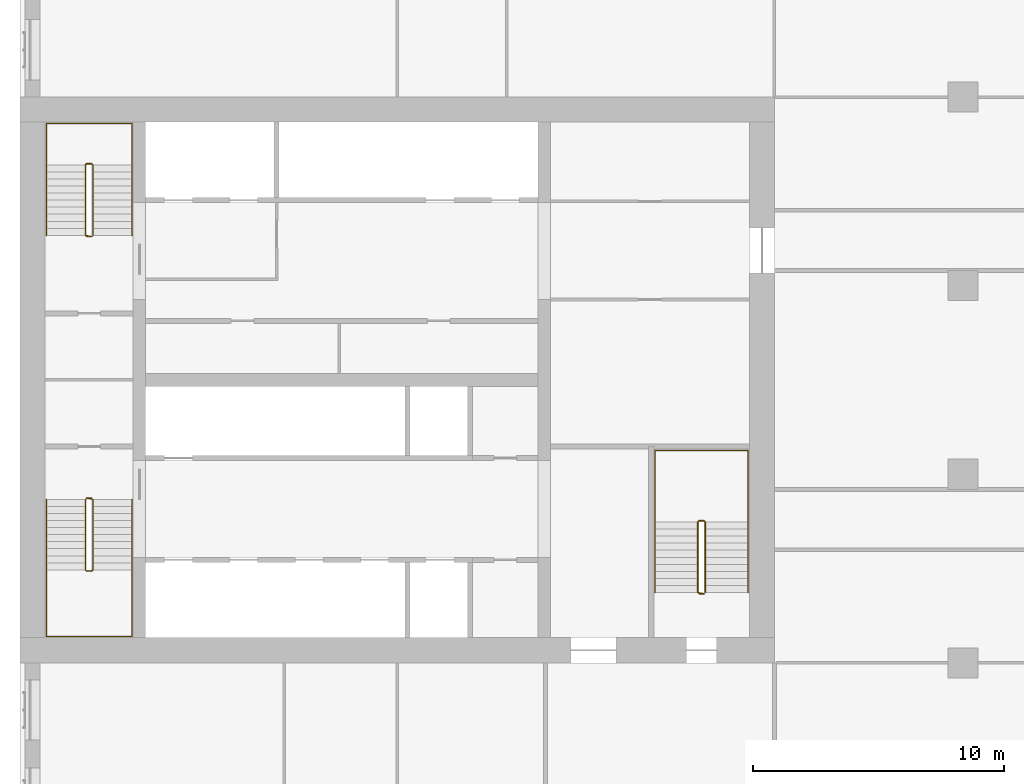
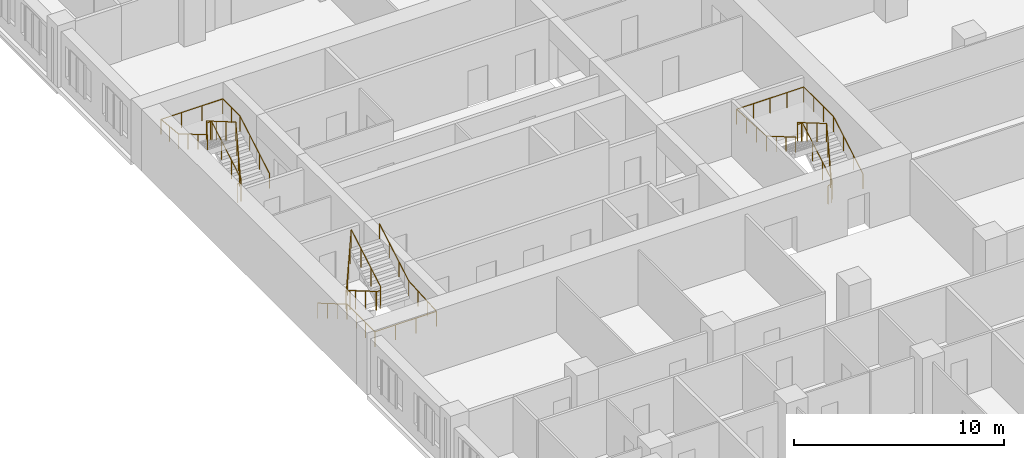
# One storey, part 14 of 14: 6 railings.
"""IFC4 building model written with IfcOpenShell, lengths in metres."""

from ifc_helpers import new_model, si_unit, direction, frame, origin, origin_2d, place, context, subcontext, project, spatial, circle, extrude, material, type_object, element, save


model = new_model("IFC4")

# Units and contexts
model_context = context("Model", 3, precision=1e-05, world=origin(), true_north=direction((0.0, 1.0)))
body_context = subcontext(model_context, "Body", "Model", "MODEL_VIEW")
ifc_project = project(units=[si_unit("LENGTHUNIT", "METRE"), si_unit("AREAUNIT", "SQUARE_METRE"), si_unit("VOLUMEUNIT", "CUBIC_METRE"), si_unit("PLANEANGLEUNIT", "RADIAN"), si_unit("MASSUNIT", "GRAM", prefix="KILO")], contexts=[model_context])

# Site, building, storey
site_placement = place(None, origin())
site = spatial("IfcSite", under=ifc_project, at=site_placement, CompositionType="ELEMENT")
building_placement = place(site_placement, origin())
building = spatial("IfcBuilding", under=site, at=building_placement, Name="Tamorin Gate", CompositionType="ELEMENT")
storey_placement = place(building_placement, frame((0.0, 0.0, 70.0)))
storey = spatial("IfcBuildingStorey", under=building, at=storey_placement, Name="L16", CompositionType="ELEMENT", Elevation=70.0)

# Railings
ifc_material_1 = material(Name="Painted steel balustrade", Category="steel")
railing_type_1 = type_object("IfcRailingType", Name="Stair guard 1100", PredefinedType="GUARDRAIL", material=ifc_material_1)
railing_1_placement = place(storey_placement, frame((32.60009765625, 66.5, 0.16357421875)))
element("IfcRailing", 1, at=railing_1_placement, inside=storey, type_object=railing_type_1, Name="L16 ST1 stair guard 1", PredefinedType="GUARDRAIL", context=body_context, shape_type="SweptSolid", body=[
    extrude(circle(Radius=0.02392578125, at=origin_2d()), frame((0.0, 0.0, 1.076171875), z_axis=(0.0, -0.863360870873, 0.504586966384), x_axis=(1.0, 0.0, 0.0)), (0.0, 0.0, 1.0), 3.2431640625),
    extrude(circle(Radius=0.02392578125, at=origin_2d()), frame((0.0, -2.800048828125, 2.71240234375), z_axis=(0.705375805398, -0.708833529934, 0.0), x_axis=(0.708833529934, 0.705375805398, 0.0)), (0.0, 0.0, 1.0), 0.070556640625),
    extrude(circle(Radius=0.02392578125, at=origin_2d()), frame((0.0498046875, -2.85009765625, 2.71240234375), z_axis=(1.0, 0.0, 0.0), x_axis=(0.0, 1.0, 0.0)), (0.0, 0.0, 1.0), 0.2001953125),
    extrude(circle(Radius=0.02392578125, at=origin_2d()), frame((0.25, -2.85009765625, 2.71240234375), z_axis=(0.279546231943, 0.280916556609, 0.91811752648), x_axis=(-0.708833529934, 0.705375805398, 0.0)), (0.0, 0.0, 1.0), 0.17822265625),
    extrude(circle(Radius=0.02392578125, at=origin_2d()), frame((0.2998046875, -2.800048828125, 2.8759765625), z_axis=(0.0, 0.863360870873, 0.504586966384), x_axis=(-1.0, 0.0, 0.0)), (0.0, 0.0, 1.0), 3.2431640625),
    extrude(circle(Radius=0.02392578125, at=origin_2d()), frame((0.2998046875, 0.0, 4.5126953125), z_axis=(-0.069269067181, 0.013867342551, -0.997501625634), x_axis=(-0.196300278283, -0.98054382908, 0.0)), (0.0, 0.0, 1.0), 3.609130859375),
    extrude(circle(Radius=0.02392578125, at=origin_2d()), frame((0.0498046875, 0.050048828125, 0.91259765625), z_axis=(1.0, 0.0, 0.0), x_axis=(0.0, 1.0, 0.0)), (0.0, 0.0, 1.0), 0.2001953125),
    extrude(circle(Radius=0.02099609375, at=origin_2d()), origin(), (0.0, 0.0, 1.0), 1.052001953125),
    extrude(circle(Radius=0.02099609375, at=origin_2d()), frame((0.0, -0.933349609375, 0.54541015625)), (0.0, 0.0, 1.0), 1.052001953125),
    extrude(circle(Radius=0.02099609375, at=origin_2d()), frame((0.0, -1.86669921875, 1.091064453125)), (0.0, 0.0, 1.0), 1.052001953125),
    extrude(circle(Radius=0.02099609375, at=origin_2d()), frame((0.0, -2.800048828125, 1.636474609375)), (0.0, 0.0, 1.0), 1.052001953125),
    extrude(circle(Radius=0.02099609375, at=origin_2d()), frame((0.0498046875, -2.85009765625, 1.636474609375)), (0.0, 0.0, 1.0), 1.052001953125),
    extrude(circle(Radius=0.02099609375, at=origin_2d()), frame((0.25, -2.85009765625, 1.636474609375)), (0.0, 0.0, 1.0), 1.052001953125),
    extrude(circle(Radius=0.02099609375, at=origin_2d()), frame((0.2998046875, -2.800048828125, 1.800048828125)), (0.0, 0.0, 1.0), 1.052001953125),
    extrude(circle(Radius=0.02099609375, at=origin_2d()), frame((0.2998046875, -1.86669921875, 2.345458984375)), (0.0, 0.0, 1.0), 1.052001953125),
    extrude(circle(Radius=0.02099609375, at=origin_2d()), frame((0.2998046875, -0.933349609375, 2.89111328125)), (0.0, 0.0, 1.0), 1.052001953125),
    extrude(circle(Radius=0.02099609375, at=origin_2d()), frame((0.2998046875, 0.0, 3.4365234375)), (0.0, 0.0, 1.0), 1.052001953125),
    extrude(circle(Radius=0.02099609375, at=origin_2d()), frame((0.2373046875, 0.012451171875, 2.53662109375)), (0.0, 0.0, 1.0), 1.052001953125),
    extrude(circle(Radius=0.02099609375, at=origin_2d()), frame((0.1748046875, 0.02490234375, 1.636474609375)), (0.0, 0.0, 1.0), 1.052001953125),
    extrude(circle(Radius=0.02099609375, at=origin_2d()), frame((0.1123046875, 0.03759765625, 0.736328125)), (0.0, 0.0, 1.0), 1.052001953125),
    extrude(circle(Radius=0.02099609375, at=origin_2d()), frame((0.0498046875, 0.050048828125, -0.16357421875)), (0.0, 0.0, 1.0), 1.052001953125),
    extrude(circle(Radius=0.02099609375, at=origin_2d()), frame((0.25, 0.050048828125, -0.16357421875)), (0.0, 0.0, 1.0), 1.052001953125),
])
railing_2_placement = place(storey_placement, frame((32.89990234375, 77.0, 0.16357421875)))
element("IfcRailing", 2, at=railing_2_placement, inside=storey, type_object=railing_type_1, Name="L16 ST2 stair guard 1", PredefinedType="GUARDRAIL", context=body_context, shape_type="SweptSolid", body=[
    extrude(circle(Radius=0.02392578125, at=origin_2d()), frame((0.0, 0.0, 1.076171875), z_axis=(0.0, 0.863360870873, 0.504586966384), x_axis=(-1.0, 0.0, 0.0)), (0.0, 0.0, 1.0), 3.2431640625),
    extrude(circle(Radius=0.02392578125, at=origin_2d()), frame((0.0, 2.800048828125, 2.71240234375), z_axis=(-0.705375805398, 0.708833529934, 0.0), x_axis=(-0.708833529934, -0.705375805398, 0.0)), (0.0, 0.0, 1.0), 0.070556640625),
    extrude(circle(Radius=0.02392578125, at=origin_2d()), frame((-0.0498046875, 2.85009765625, 2.71240234375), z_axis=(-1.0, 0.0, 0.0), x_axis=(0.0, -1.0, 0.0)), (0.0, 0.0, 1.0), 0.2001953125),
    extrude(circle(Radius=0.02392578125, at=origin_2d()), frame((-0.25, 2.85009765625, 2.71240234375), z_axis=(-0.279546231943, -0.280916556609, 0.91811752648), x_axis=(0.708833529934, -0.705375805398, 0.0)), (0.0, 0.0, 1.0), 0.17822265625),
    extrude(circle(Radius=0.02392578125, at=origin_2d()), frame((-0.2998046875, 2.800048828125, 2.8759765625), z_axis=(0.0, -0.863360870873, 0.504586966384), x_axis=(1.0, 0.0, 0.0)), (0.0, 0.0, 1.0), 3.2431640625),
    extrude(circle(Radius=0.02392578125, at=origin_2d()), frame((-0.2998046875, 0.0, 4.5126953125), z_axis=(0.069269067181, -0.013867342551, -0.997501625634), x_axis=(0.196300278283, 0.98054382908, 0.0)), (0.0, 0.0, 1.0), 3.609130859375),
    extrude(circle(Radius=0.02392578125, at=origin_2d()), frame((-0.0498046875, -0.050048828125, 0.91259765625), z_axis=(-1.0, 0.0, 0.0), x_axis=(0.0, -1.0, 0.0)), (0.0, 0.0, 1.0), 0.2001953125),
    extrude(circle(Radius=0.02099609375, at=origin_2d()), origin(), (0.0, 0.0, 1.0), 1.052001953125),
    extrude(circle(Radius=0.02099609375, at=origin_2d()), frame((0.0, 0.933349609375, 0.54541015625)), (0.0, 0.0, 1.0), 1.052001953125),
    extrude(circle(Radius=0.02099609375, at=origin_2d()), frame((0.0, 1.86669921875, 1.091064453125)), (0.0, 0.0, 1.0), 1.052001953125),
    extrude(circle(Radius=0.02099609375, at=origin_2d()), frame((0.0, 2.800048828125, 1.636474609375)), (0.0, 0.0, 1.0), 1.052001953125),
    extrude(circle(Radius=0.02099609375, at=origin_2d()), frame((-0.0498046875, 2.85009765625, 1.636474609375)), (0.0, 0.0, 1.0), 1.052001953125),
    extrude(circle(Radius=0.02099609375, at=origin_2d()), frame((-0.25, 2.85009765625, 1.636474609375)), (0.0, 0.0, 1.0), 1.052001953125),
    extrude(circle(Radius=0.02099609375, at=origin_2d()), frame((-0.2998046875, 2.800048828125, 1.800048828125)), (0.0, 0.0, 1.0), 1.052001953125),
    extrude(circle(Radius=0.02099609375, at=origin_2d()), frame((-0.2998046875, 1.86669921875, 2.345458984375)), (0.0, 0.0, 1.0), 1.052001953125),
    extrude(circle(Radius=0.02099609375, at=origin_2d()), frame((-0.2998046875, 0.933349609375, 2.89111328125)), (0.0, 0.0, 1.0), 1.052001953125),
    extrude(circle(Radius=0.02099609375, at=origin_2d()), frame((-0.2998046875, 0.0, 3.4365234375)), (0.0, 0.0, 1.0), 1.052001953125),
    extrude(circle(Radius=0.02099609375, at=origin_2d()), frame((-0.2373046875, -0.012451171875, 2.53662109375)), (0.0, 0.0, 1.0), 1.052001953125),
    extrude(circle(Radius=0.02099609375, at=origin_2d()), frame((-0.1748046875, -0.02490234375, 1.636474609375)), (0.0, 0.0, 1.0), 1.052001953125),
    extrude(circle(Radius=0.02099609375, at=origin_2d()), frame((-0.1123046875, -0.03759765625, 0.736328125)), (0.0, 0.0, 1.0), 1.052001953125),
    extrude(circle(Radius=0.02099609375, at=origin_2d()), frame((-0.0498046875, -0.050048828125, -0.16357421875)), (0.0, 0.0, 1.0), 1.052001953125),
    extrude(circle(Radius=0.02099609375, at=origin_2d()), frame((-0.25, -0.050048828125, -0.16357421875)), (0.0, 0.0, 1.0), 1.052001953125),
])
railing_3_placement = place(storey_placement, frame((57.25, 62.800048828125, 0.16357421875)))
element("IfcRailing", 3, at=railing_3_placement, inside=storey, type_object=railing_type_1, Name="L16 ST3 stair guard 1", PredefinedType="GUARDRAIL", context=body_context, shape_type="SweptSolid", body=[
    extrude(circle(Radius=0.02392578125, at=origin_2d()), frame((0.0, 0.0, 1.076171875), z_axis=(0.0, 0.863360870873, 0.504586966384), x_axis=(-1.0, 0.0, 0.0)), (0.0, 0.0, 1.0), 3.2431640625),
    extrude(circle(Radius=0.02392578125, at=origin_2d()), frame((0.0, 2.800048828125, 2.71240234375), z_axis=(-0.708833529934, 0.705375805398, 0.0), x_axis=(-0.705375805398, -0.708833529934, 0.0)), (0.0, 0.0, 1.0), 0.070556640625),
    extrude(circle(Radius=0.02392578125, at=origin_2d()), frame((-0.050048828125, 2.849853515625, 2.71240234375), z_axis=(-1.0, 0.0, 0.0), x_axis=(0.0, -1.0, 0.0)), (0.0, 0.0, 1.0), 0.199951171875),
    extrude(circle(Radius=0.02392578125, at=origin_2d()), frame((-0.25, 2.849853515625, 2.71240234375), z_axis=(-0.280916556609, -0.279546231943, 0.91811752648), x_axis=(0.705375805398, -0.708833529934, 0.0)), (0.0, 0.0, 1.0), 0.17822265625),
    extrude(circle(Radius=0.02392578125, at=origin_2d()), frame((-0.300048828125, 2.800048828125, 2.8759765625), z_axis=(0.0, -0.863360870873, 0.504586966384), x_axis=(1.0, 0.0, 0.0)), (0.0, 0.0, 1.0), 3.2431640625),
    extrude(circle(Radius=0.02392578125, at=origin_2d()), frame((-0.300048828125, 0.0, 4.5126953125), z_axis=(0.069269067181, -0.013867342551, -0.997501625634), x_axis=(0.196300278283, 0.98054382908, 0.0)), (0.0, 0.0, 1.0), 3.609130859375),
    extrude(circle(Radius=0.02392578125, at=origin_2d()), frame((-0.050048828125, -0.050048828125, 0.91259765625), z_axis=(-1.0, 0.0, 0.0), x_axis=(0.0, -1.0, 0.0)), (0.0, 0.0, 1.0), 0.199951171875),
    extrude(circle(Radius=0.02099609375, at=origin_2d()), origin(), (0.0, 0.0, 1.0), 1.052001953125),
    extrude(circle(Radius=0.02099609375, at=origin_2d()), frame((0.0, 0.933349609375, 0.54541015625)), (0.0, 0.0, 1.0), 1.052001953125),
    extrude(circle(Radius=0.02099609375, at=origin_2d()), frame((0.0, 1.86669921875, 1.091064453125)), (0.0, 0.0, 1.0), 1.052001953125),
    extrude(circle(Radius=0.02099609375, at=origin_2d()), frame((0.0, 2.800048828125, 1.636474609375)), (0.0, 0.0, 1.0), 1.052001953125),
    extrude(circle(Radius=0.02099609375, at=origin_2d()), frame((-0.050048828125, 2.849853515625, 1.636474609375)), (0.0, 0.0, 1.0), 1.052001953125),
    extrude(circle(Radius=0.02099609375, at=origin_2d()), frame((-0.25, 2.849853515625, 1.636474609375)), (0.0, 0.0, 1.0), 1.052001953125),
    extrude(circle(Radius=0.02099609375, at=origin_2d()), frame((-0.300048828125, 2.800048828125, 1.800048828125)), (0.0, 0.0, 1.0), 1.052001953125),
    extrude(circle(Radius=0.02099609375, at=origin_2d()), frame((-0.300048828125, 1.86669921875, 2.345458984375)), (0.0, 0.0, 1.0), 1.052001953125),
    extrude(circle(Radius=0.02099609375, at=origin_2d()), frame((-0.300048828125, 0.933349609375, 2.89111328125)), (0.0, 0.0, 1.0), 1.052001953125),
    extrude(circle(Radius=0.02099609375, at=origin_2d()), frame((-0.300048828125, 0.0, 3.4365234375)), (0.0, 0.0, 1.0), 1.052001953125),
    extrude(circle(Radius=0.02099609375, at=origin_2d()), frame((-0.237548828125, -0.012451171875, 2.53662109375)), (0.0, 0.0, 1.0), 1.052001953125),
    extrude(circle(Radius=0.02099609375, at=origin_2d()), frame((-0.175048828125, -0.02490234375, 1.636474609375)), (0.0, 0.0, 1.0), 1.052001953125),
    extrude(circle(Radius=0.02099609375, at=origin_2d()), frame((-0.112548828125, -0.03759765625, 0.736328125)), (0.0, 0.0, 1.0), 1.052001953125),
    extrude(circle(Radius=0.02099609375, at=origin_2d()), frame((-0.050048828125, -0.050048828125, -0.16357421875)), (0.0, 0.0, 1.0), 1.052001953125),
    extrude(circle(Radius=0.02099609375, at=origin_2d()), frame((-0.25, -0.050048828125, -0.16357421875)), (0.0, 0.0, 1.0), 1.052001953125),
])
ifc_material_2 = material(Name="Painted steel handrail", Category="steel")
railing_type_2 = type_object("IfcRailingType", Name="Stair handrail 900", PredefinedType="HANDRAIL", material=ifc_material_2)
railing_4_placement = place(storey_placement, frame((31.050048828125, 66.5, 0.16357421875)))
element("IfcRailing", 4, at=railing_4_placement, inside=storey, type_object=railing_type_2, Name="L16 ST1 stair handrail 1", PredefinedType="HANDRAIL", context=body_context, shape_type="SweptSolid", body=[
    extrude(circle(Radius=0.02392578125, at=origin_2d()), frame((0.0, 0.0, 0.8759765625), z_axis=(0.0, -0.863360870873, 0.504586966384), x_axis=(1.0, 0.0, 0.0)), (0.0, 0.0, 1.0), 3.2431640625),
    extrude(circle(Radius=0.02392578125, at=origin_2d()), frame((0.0, -2.800048828125, 2.51220703125), z_axis=(0.0, -1.0, 0.0), x_axis=(1.0, 0.0, 0.0)), (0.0, 0.0, 1.0), 2.64990234375),
    extrude(circle(Radius=0.02392578125, at=origin_2d()), frame((0.0, -5.449951171875, 2.51220703125), z_axis=(1.0, 0.0, 0.0), x_axis=(0.0, 1.0, 0.0)), (0.0, 0.0, 1.0), 3.39990234375),
    extrude(circle(Radius=0.02392578125, at=origin_2d()), frame((3.39990234375, -5.449951171875, 2.51220703125), z_axis=(0.0, 0.998100230056, 0.061611125312), x_axis=(-1.0, 0.0, 0.0)), (0.0, 0.0, 1.0), 2.655029296875),
    extrude(circle(Radius=0.02392578125, at=origin_2d()), frame((3.39990234375, -2.800048828125, 2.67578125), z_axis=(0.0, 0.863360870873, 0.504586966384), x_axis=(-1.0, 0.0, 0.0)), (0.0, 0.0, 1.0), 3.2431640625),
    extrude(circle(Radius=0.02099609375, at=origin_2d()), origin(), (0.0, 0.0, 1.0), 0.851806640625),
    extrude(circle(Radius=0.02099609375, at=origin_2d()), frame((0.0, -0.933349609375, 0.54541015625)), (0.0, 0.0, 1.0), 0.851806640625),
    extrude(circle(Radius=0.02099609375, at=origin_2d()), frame((0.0, -1.86669921875, 1.091064453125)), (0.0, 0.0, 1.0), 0.851806640625),
    extrude(circle(Radius=0.02099609375, at=origin_2d()), frame((0.0, -2.800048828125, 1.636474609375)), (0.0, 0.0, 1.0), 0.851806640625),
    extrude(circle(Radius=0.02099609375, at=origin_2d()), frame((0.0, -3.683349609375, 1.636474609375)), (0.0, 0.0, 1.0), 0.851806640625),
    extrude(circle(Radius=0.02099609375, at=origin_2d()), frame((0.0, -4.566650390625, 1.636474609375)), (0.0, 0.0, 1.0), 0.851806640625),
    extrude(circle(Radius=0.02099609375, at=origin_2d()), frame((0.0, -5.449951171875, 1.636474609375)), (0.0, 0.0, 1.0), 0.851806640625),
    extrude(circle(Radius=0.02099609375, at=origin_2d()), frame((1.13330078125, -5.449951171875, 1.636474609375)), (0.0, 0.0, 1.0), 0.851806640625),
    extrude(circle(Radius=0.02099609375, at=origin_2d()), frame((2.2666015625, -5.449951171875, 1.636474609375)), (0.0, 0.0, 1.0), 0.851806640625),
    extrude(circle(Radius=0.02099609375, at=origin_2d()), frame((3.39990234375, -5.449951171875, 1.636474609375)), (0.0, 0.0, 1.0), 0.851806640625),
    extrude(circle(Radius=0.02099609375, at=origin_2d()), frame((3.39990234375, -4.566650390625, 1.69091796875)), (0.0, 0.0, 1.0), 0.851806640625),
    extrude(circle(Radius=0.02099609375, at=origin_2d()), frame((3.39990234375, -3.683349609375, 1.74560546875)), (0.0, 0.0, 1.0), 0.851806640625),
    extrude(circle(Radius=0.02099609375, at=origin_2d()), frame((3.39990234375, -2.800048828125, 1.800048828125)), (0.0, 0.0, 1.0), 0.851806640625),
    extrude(circle(Radius=0.02099609375, at=origin_2d()), frame((3.39990234375, -1.86669921875, 2.345458984375)), (0.0, 0.0, 1.0), 0.851806640625),
    extrude(circle(Radius=0.02099609375, at=origin_2d()), frame((3.39990234375, -0.933349609375, 2.89111328125)), (0.0, 0.0, 1.0), 0.851806640625),
    extrude(circle(Radius=0.02099609375, at=origin_2d()), frame((3.39990234375, 0.0, 3.4365234375)), (0.0, 0.0, 1.0), 0.851806640625),
])
railing_5_placement = place(storey_placement, frame((34.449951171875, 77.0, 0.16357421875)))
element("IfcRailing", 5, at=railing_5_placement, inside=storey, type_object=railing_type_2, Name="L16 ST2 stair handrail 1", PredefinedType="HANDRAIL", context=body_context, shape_type="SweptSolid", body=[
    extrude(circle(Radius=0.02392578125, at=origin_2d()), frame((0.0, 0.0, 0.8759765625), z_axis=(0.0, 0.863360870873, 0.504586966384), x_axis=(-1.0, 0.0, 0.0)), (0.0, 0.0, 1.0), 3.2431640625),
    extrude(circle(Radius=0.02392578125, at=origin_2d()), frame((0.0, 2.800048828125, 2.51220703125), z_axis=(0.0, 1.0, 0.0), x_axis=(-1.0, 0.0, 0.0)), (0.0, 0.0, 1.0), 1.64990234375),
    extrude(circle(Radius=0.02392578125, at=origin_2d()), frame((0.0, 4.449951171875, 2.51220703125), z_axis=(-1.0, 0.0, 0.0), x_axis=(0.0, -1.0, 0.0)), (0.0, 0.0, 1.0), 3.39990234375),
    extrude(circle(Radius=0.02392578125, at=origin_2d()), frame((-3.39990234375, 4.449951171875, 2.51220703125), z_axis=(0.0, -0.995121390814, 0.098658084026), x_axis=(1.0, 0.0, 0.0)), (0.0, 0.0, 1.0), 1.657958984375),
    extrude(circle(Radius=0.02392578125, at=origin_2d()), frame((-3.39990234375, 2.800048828125, 2.67578125), z_axis=(0.0, -0.863360870873, 0.504586966384), x_axis=(1.0, 0.0, 0.0)), (0.0, 0.0, 1.0), 3.2431640625),
    extrude(circle(Radius=0.02099609375, at=origin_2d()), origin(), (0.0, 0.0, 1.0), 0.851806640625),
    extrude(circle(Radius=0.02099609375, at=origin_2d()), frame((0.0, 0.933349609375, 0.54541015625)), (0.0, 0.0, 1.0), 0.851806640625),
    extrude(circle(Radius=0.02099609375, at=origin_2d()), frame((0.0, 1.86669921875, 1.091064453125)), (0.0, 0.0, 1.0), 0.851806640625),
    extrude(circle(Radius=0.02099609375, at=origin_2d()), frame((0.0, 2.800048828125, 1.636474609375)), (0.0, 0.0, 1.0), 0.851806640625),
    extrude(circle(Radius=0.02099609375, at=origin_2d()), frame((0.0, 3.625, 1.636474609375)), (0.0, 0.0, 1.0), 0.851806640625),
    extrude(circle(Radius=0.02099609375, at=origin_2d()), frame((0.0, 4.449951171875, 1.636474609375)), (0.0, 0.0, 1.0), 0.851806640625),
    extrude(circle(Radius=0.02099609375, at=origin_2d()), frame((-1.13330078125, 4.449951171875, 1.636474609375)), (0.0, 0.0, 1.0), 0.851806640625),
    extrude(circle(Radius=0.02099609375, at=origin_2d()), frame((-2.2666015625, 4.449951171875, 1.636474609375)), (0.0, 0.0, 1.0), 0.851806640625),
    extrude(circle(Radius=0.02099609375, at=origin_2d()), frame((-3.39990234375, 4.449951171875, 1.636474609375)), (0.0, 0.0, 1.0), 0.851806640625),
    extrude(circle(Radius=0.02099609375, at=origin_2d()), frame((-3.39990234375, 3.625, 1.71826171875)), (0.0, 0.0, 1.0), 0.851806640625),
    extrude(circle(Radius=0.02099609375, at=origin_2d()), frame((-3.39990234375, 2.800048828125, 1.800048828125)), (0.0, 0.0, 1.0), 0.851806640625),
    extrude(circle(Radius=0.02099609375, at=origin_2d()), frame((-3.39990234375, 1.86669921875, 2.345458984375)), (0.0, 0.0, 1.0), 0.851806640625),
    extrude(circle(Radius=0.02099609375, at=origin_2d()), frame((-3.39990234375, 0.933349609375, 2.89111328125)), (0.0, 0.0, 1.0), 0.851806640625),
    extrude(circle(Radius=0.02099609375, at=origin_2d()), frame((-3.39990234375, 0.0, 3.4365234375)), (0.0, 0.0, 1.0), 0.851806640625),
])
railing_6_placement = place(storey_placement, frame((58.949951171875, 62.800048828125, 0.16357421875)))
element("IfcRailing", 6, at=railing_6_placement, inside=storey, type_object=railing_type_2, Name="L16 ST3 stair handrail 1", PredefinedType="HANDRAIL", context=body_context, shape_type="SweptSolid", body=[
    extrude(circle(Radius=0.02392578125, at=origin_2d()), frame((0.0, 0.0, 0.8759765625), z_axis=(0.0, 0.863360870873, 0.504586966384), x_axis=(-1.0, 0.0, 0.0)), (0.0, 0.0, 1.0), 3.2431640625),
    extrude(circle(Radius=0.02392578125, at=origin_2d()), frame((0.0, 2.800048828125, 2.51220703125), z_axis=(0.0, 1.0, 0.0), x_axis=(-1.0, 0.0, 0.0)), (0.0, 0.0, 1.0), 2.849853515625),
    extrude(circle(Radius=0.02392578125, at=origin_2d()), frame((0.0, 5.64990234375, 2.51220703125), z_axis=(-1.0, 0.0, 0.0), x_axis=(0.0, -1.0, 0.0)), (0.0, 0.0, 1.0), 3.699951171875),
    extrude(circle(Radius=0.02392578125, at=origin_2d()), frame((-3.699951171875, 5.64990234375, 2.51220703125), z_axis=(0.0, -0.998356827416, 0.057303098978), x_axis=(1.0, 0.0, 0.0)), (0.0, 0.0, 1.0), 2.8544921875),
    extrude(circle(Radius=0.02392578125, at=origin_2d()), frame((-3.699951171875, 2.800048828125, 2.67578125), z_axis=(0.0, -0.863360870873, 0.504586966384), x_axis=(1.0, 0.0, 0.0)), (0.0, 0.0, 1.0), 3.2431640625),
    extrude(circle(Radius=0.02099609375, at=origin_2d()), origin(), (0.0, 0.0, 1.0), 0.851806640625),
    extrude(circle(Radius=0.02099609375, at=origin_2d()), frame((0.0, 0.933349609375, 0.54541015625)), (0.0, 0.0, 1.0), 0.851806640625),
    extrude(circle(Radius=0.02099609375, at=origin_2d()), frame((0.0, 1.86669921875, 1.091064453125)), (0.0, 0.0, 1.0), 0.851806640625),
    extrude(circle(Radius=0.02099609375, at=origin_2d()), frame((0.0, 2.800048828125, 1.636474609375)), (0.0, 0.0, 1.0), 0.851806640625),
    extrude(circle(Radius=0.02099609375, at=origin_2d()), frame((0.0, 3.75, 1.636474609375)), (0.0, 0.0, 1.0), 0.851806640625),
    extrude(circle(Radius=0.02099609375, at=origin_2d()), frame((0.0, 4.699951171875, 1.636474609375)), (0.0, 0.0, 1.0), 0.851806640625),
    extrude(circle(Radius=0.02099609375, at=origin_2d()), frame((0.0, 5.64990234375, 1.636474609375)), (0.0, 0.0, 1.0), 0.851806640625),
    extrude(circle(Radius=0.02099609375, at=origin_2d()), frame((-0.925048828125, 5.64990234375, 1.636474609375)), (0.0, 0.0, 1.0), 0.851806640625),
    extrude(circle(Radius=0.02099609375, at=origin_2d()), frame((-1.85009765625, 5.64990234375, 1.636474609375)), (0.0, 0.0, 1.0), 0.851806640625),
    extrude(circle(Radius=0.02099609375, at=origin_2d()), frame((-2.77490234375, 5.64990234375, 1.636474609375)), (0.0, 0.0, 1.0), 0.851806640625),
    extrude(circle(Radius=0.02099609375, at=origin_2d()), frame((-3.699951171875, 5.64990234375, 1.636474609375)), (0.0, 0.0, 1.0), 0.851806640625),
    extrude(circle(Radius=0.02099609375, at=origin_2d()), frame((-3.699951171875, 4.699951171875, 1.69091796875)), (0.0, 0.0, 1.0), 0.851806640625),
    extrude(circle(Radius=0.02099609375, at=origin_2d()), frame((-3.699951171875, 3.75, 1.74560546875)), (0.0, 0.0, 1.0), 0.851806640625),
    extrude(circle(Radius=0.02099609375, at=origin_2d()), frame((-3.699951171875, 2.800048828125, 1.800048828125)), (0.0, 0.0, 1.0), 0.851806640625),
    extrude(circle(Radius=0.02099609375, at=origin_2d()), frame((-3.699951171875, 1.86669921875, 2.345458984375)), (0.0, 0.0, 1.0), 0.851806640625),
    extrude(circle(Radius=0.02099609375, at=origin_2d()), frame((-3.699951171875, 0.933349609375, 2.89111328125)), (0.0, 0.0, 1.0), 0.851806640625),
    extrude(circle(Radius=0.02099609375, at=origin_2d()), frame((-3.699951171875, 0.0, 3.4365234375)), (0.0, 0.0, 1.0), 0.851806640625),
])

save(model, "model.ifc")
